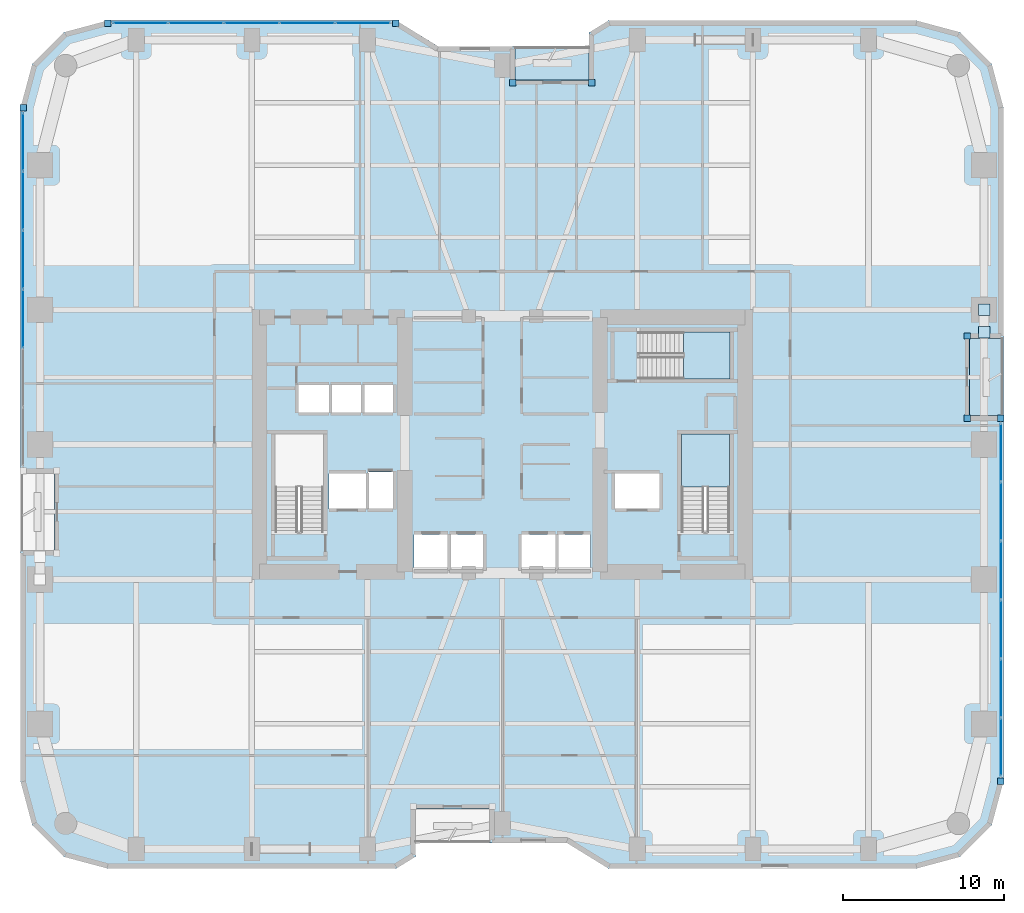
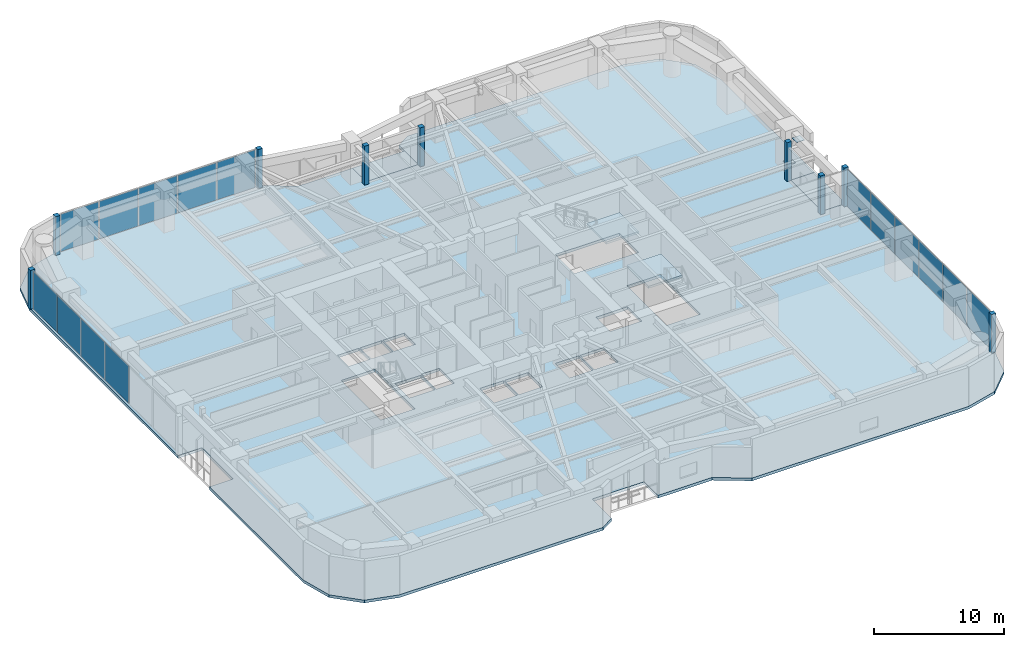
# One storey, part 20 of 28: 26 plates, 5 slabs, 5 elements without a shape of their own.
"""IFC4 building model written with IfcOpenShell, lengths in metres."""

from ifc_helpers import new_model, si_unit, direction, frame, origin, origin_2d, place, context, subcontext, project, spatial, polyline, rectangle, outline, extrude, material, layer, layer_set, type_object, element, aggregate, save


model = new_model("IFC4")

# Units and contexts
model_context = context("Model", 3, precision=1e-05, world=origin(), true_north=direction((0.0, 1.0)))
body_context = subcontext(model_context, "Body", "Model", "MODEL_VIEW")
ifc_project = project(units=[si_unit("LENGTHUNIT", "METRE"), si_unit("AREAUNIT", "SQUARE_METRE"), si_unit("VOLUMEUNIT", "CUBIC_METRE"), si_unit("PLANEANGLEUNIT", "RADIAN"), si_unit("MASSUNIT", "GRAM", prefix="KILO")], contexts=[model_context])

# Site, building, storey
site_placement = place(None, origin())
site = spatial("IfcSite", under=ifc_project, at=site_placement, CompositionType="ELEMENT")
building_placement = place(site_placement, origin())
building = spatial("IfcBuilding", under=site, at=building_placement, Name="Kiyonajd Concourse Tower", CompositionType="ELEMENT")
storey_placement = place(building_placement, frame((0.0, 0.0, 33.300048828125)))
storey = spatial("IfcBuildingStorey", under=building, at=storey_placement, Name="L09", CompositionType="ELEMENT", Elevation=33.300048828125)

# Plates
ifc_material_1 = material(Name="Steel ASTM A572 Grade 50", Category="steel")
ifc_layer_1 = layer(ifc_material_1, 0.028076171875)
ifc_layer_set_1 = layer_set([ifc_layer_1], Name="Steel ASTM A572 Grade 50")
plate_type_1 = type_object("IfcPlateType", Name="PL-CAP-450", PredefinedType="USERDEFINED", material=ifc_layer_set_1)
for number, where, z_axis, x_axis, name in (
    (1, (78.0, 44.40478515625, 0.27587890625), (0.0, 0.0, 1.0), (1.0, 0.0, 0.0), "L09 Hollow Brace End Cap Plate PBE"),
    (2, (78.0, 42.995361328125, 3.2861328125), (0.0, 0.0, 1.0), (1.0, 0.0, 0.0), "L09 Hollow Brace Top Cap Plate PBE"),
):
    element("IfcPlate", number, at=place(storey_placement, frame(where, z_axis=z_axis, x_axis=x_axis)), inside=storey, type_object=plate_type_1, Name=name, ObjectType="CAP PLATE", PredefinedType="USERDEFINED", context=body_context, shape_type="SweptSolid", body=[
        extrude(rectangle(XDim=0.7099609375, YDim=0.7099609375, at=origin_2d()), origin(), (0.0, 0.0, 1.0), 0.028076171875),
    ])

# Curtain wall, plates
ifc_material_2 = material(Name="Thermally Broken Anodised Aluminium", Category="aluminium")
ifc_layer_2 = layer(ifc_material_2, 0.179931640625)
ifc_layer_set_2 = layer_set([ifc_layer_2], Name="Thermally Broken Anodised Aluminium")
curtain_wall_type = type_object("IfcCurtainWallType", Name="CW-SYS-02", PredefinedType="NOTDEFINED", material=ifc_layer_set_2)
curtain_wall_1_placement = place(storey_placement, origin())
curtain_wall_1 = element("IfcCurtainWall", 3, at=curtain_wall_1_placement, inside=storey, type_object=curtain_wall_type, Name="L09 Unitised Curtain Wall CW2", PredefinedType="NOTDEFINED")
ifc_material_3 = material(Name="Double Low-E Insulated Glass", Category="glass")
ifc_layer_3 = layer(ifc_material_3, 0.028076171875)
ifc_layer_set_3 = layer_set([ifc_layer_3], Name="Double Low-E Insulated Glass")
plate_type_2 = type_object("IfcPlateType", Name="PL-CW-VIS28", PredefinedType="CURTAIN_PANEL", material=ifc_layer_set_3)
plate_1_placement = place(storey_placement, frame((18.159912109375, 43.832763671875, 0.06494140625), z_axis=(0.0, 0.0, 1.0), x_axis=(0.0, 1.0, 0.0)))
plate_1 = element("IfcPlate", 4, at=plate_1_placement, type_object=plate_type_2, Name="CW2 panel 3.1", PredefinedType="CURTAIN_PANEL", context=body_context, shape_type="SweptSolid", body=[
    extrude(rectangle(XDim=3.608154296875, YDim=0.028076171875, at=origin_2d()), origin(), (0.0, 0.0, 1.0), 3.510009765625),
])
plate_2_placement = place(storey_placement, frame((18.159912109375, 47.506103515625, 0.06494140625), z_axis=(0.0, 0.0, 1.0), x_axis=(0.0, 1.0, 0.0)))
plate_2 = element("IfcPlate", 5, at=plate_2_placement, type_object=plate_type_2, Name="CW2 panel 4.1", PredefinedType="CURTAIN_PANEL", context=body_context, shape_type="SweptSolid", body=[
    extrude(rectangle(XDim=3.608154296875, YDim=0.028076171875, at=origin_2d()), origin(), (0.0, 0.0, 1.0), 3.510009765625),
])
plate_3_placement = place(storey_placement, frame((18.159912109375, 51.17919921875, 0.06494140625), z_axis=(0.0, 0.0, 1.0), x_axis=(0.0, 1.0, 0.0)))
plate_3 = element("IfcPlate", 6, at=plate_3_placement, type_object=plate_type_2, Name="CW2 panel 5.1", PredefinedType="CURTAIN_PANEL", context=body_context, shape_type="SweptSolid", body=[
    extrude(rectangle(XDim=3.608154296875, YDim=0.028076171875, at=origin_2d()), origin(), (0.0, 0.0, 1.0), 3.510009765625),
])
plate_4_placement = place(storey_placement, frame((18.159912109375, 54.836181640625, 0.06494140625), z_axis=(0.0, 0.0, 1.0), x_axis=(0.0, 1.0, 0.0)))
plate_4 = element("IfcPlate", 7, at=plate_4_placement, type_object=plate_type_2, Name="CW2 panel 6.1", PredefinedType="CURTAIN_PANEL", context=body_context, shape_type="SweptSolid", body=[
    extrude(rectangle(XDim=3.57568359375, YDim=0.028076171875, at=origin_2d()), origin(), (0.0, 0.0, 1.0), 3.510009765625),
])
aggregate(curtain_wall_1, [plate_1, plate_2, plate_3, plate_4])

curtain_wall_2_placement = place(storey_placement, origin())
curtain_wall_2 = element("IfcCurtainWall", 8, at=curtain_wall_2_placement, inside=storey, type_object=curtain_wall_type, Name="L09 Unitised Curtain Wall CW2", PredefinedType="NOTDEFINED")
plate_5_placement = place(storey_placement, frame((25.462646484375, 62.239990234375, 0.06494140625), z_axis=(0.0, 0.0, 1.0), x_axis=(1.0, 0.0, 0.0)))
plate_5 = element("IfcPlate", 9, at=plate_5_placement, type_object=plate_type_2, Name="CW2 panel 1.1", PredefinedType="CURTAIN_PANEL", context=body_context, shape_type="SweptSolid", body=[
    extrude(rectangle(XDim=3.373291015625, YDim=0.028076171875, at=origin_2d()), origin(), (0.0, 0.0, 1.0), 3.510009765625),
])
plate_6_placement = place(storey_placement, frame((28.917236328125, 62.239990234375, 0.06494140625), z_axis=(0.0, 0.0, 1.0), x_axis=(1.0, 0.0, 0.0)))
plate_6 = element("IfcPlate", 10, at=plate_6_placement, type_object=plate_type_2, Name="CW2 panel 2.1", PredefinedType="CURTAIN_PANEL", context=body_context, shape_type="SweptSolid", body=[
    extrude(rectangle(XDim=3.40576171875, YDim=0.028076171875, at=origin_2d()), origin(), (0.0, 0.0, 1.0), 3.510009765625),
])
plate_7_placement = place(storey_placement, frame((32.387939453125, 62.239990234375, 0.06494140625), z_axis=(0.0, 0.0, 1.0), x_axis=(1.0, 0.0, 0.0)))
plate_7 = element("IfcPlate", 11, at=plate_7_placement, type_object=plate_type_2, Name="CW2 panel 3.1", PredefinedType="CURTAIN_PANEL", context=body_context, shape_type="SweptSolid", body=[
    extrude(rectangle(XDim=3.40576171875, YDim=0.028076171875, at=origin_2d()), origin(), (0.0, 0.0, 1.0), 3.510009765625),
])
plate_8_placement = place(storey_placement, frame((35.858642578125, 62.239990234375, 0.06494140625), z_axis=(0.0, 0.0, 1.0), x_axis=(1.0, 0.0, 0.0)))
plate_8 = element("IfcPlate", 12, at=plate_8_placement, type_object=plate_type_2, Name="CW2 panel 4.1", PredefinedType="CURTAIN_PANEL", context=body_context, shape_type="SweptSolid", body=[
    extrude(rectangle(XDim=3.40576171875, YDim=0.028076171875, at=origin_2d()), origin(), (0.0, 0.0, 1.0), 3.510009765625),
])
plate_9_placement = place(storey_placement, frame((39.31298828125, 62.239990234375, 0.06494140625), z_axis=(0.0, 0.0, 1.0), x_axis=(1.0, 0.0, 0.0)))
plate_9 = element("IfcPlate", 13, at=plate_9_placement, type_object=plate_type_2, Name="CW2 panel 5.1", PredefinedType="CURTAIN_PANEL", context=body_context, shape_type="SweptSolid", body=[
    extrude(rectangle(XDim=3.373291015625, YDim=0.028076171875, at=origin_2d()), origin(), (0.0, 0.0, 1.0), 3.510009765625),
])
aggregate(curtain_wall_2, [plate_5, plate_6, plate_7, plate_8, plate_9])

curtain_wall_3_placement = place(storey_placement, origin())
curtain_wall_3 = element("IfcCurtainWall", 14, at=curtain_wall_3_placement, inside=storey, type_object=curtain_wall_type, Name="L09 Unitised Curtain Wall CW2", PredefinedType="NOTDEFINED")
plate_10_placement = place(storey_placement, frame((79.0400390625, 35.4970703125, 0.06494140625), z_axis=(0.0, 0.0, 1.0), x_axis=(0.0, -1.0, 0.0)))
plate_10 = element("IfcPlate", 15, at=plate_10_placement, type_object=plate_type_2, Name="CW2 panel 1.1", PredefinedType="CURTAIN_PANEL", context=body_context, shape_type="SweptSolid", body=[
    extrude(rectangle(XDim=3.57568359375, YDim=0.028076171875, at=origin_2d()), origin(), (0.0, 0.0, 1.0), 3.510009765625),
])
plate_11_placement = place(storey_placement, frame((79.0400390625, 31.84033203125, 0.06494140625), z_axis=(0.0, 0.0, 1.0), x_axis=(0.0, -1.0, 0.0)))
plate_11 = element("IfcPlate", 16, at=plate_11_placement, type_object=plate_type_2, Name="CW2 panel 2.1", PredefinedType="CURTAIN_PANEL", context=body_context, shape_type="SweptSolid", body=[
    extrude(rectangle(XDim=3.608154296875, YDim=0.028076171875, at=origin_2d()), origin(), (0.0, 0.0, 1.0), 3.510009765625),
])
plate_12_placement = place(storey_placement, frame((79.0400390625, 28.167236328125, 0.06494140625), z_axis=(0.0, 0.0, 1.0), x_axis=(0.0, -1.0, 0.0)))
plate_12 = element("IfcPlate", 17, at=plate_12_placement, type_object=plate_type_2, Name="CW2 panel 3.1", PredefinedType="CURTAIN_PANEL", context=body_context, shape_type="SweptSolid", body=[
    extrude(rectangle(XDim=3.608154296875, YDim=0.028076171875, at=origin_2d()), origin(), (0.0, 0.0, 1.0), 3.510009765625),
])
plate_13_placement = place(storey_placement, frame((79.0400390625, 24.493896484375, 0.06494140625), z_axis=(0.0, 0.0, 1.0), x_axis=(0.0, -1.0, 0.0)))
plate_13 = element("IfcPlate", 18, at=plate_13_placement, type_object=plate_type_2, Name="CW2 panel 4.1", PredefinedType="CURTAIN_PANEL", context=body_context, shape_type="SweptSolid", body=[
    extrude(rectangle(XDim=3.608154296875, YDim=0.028076171875, at=origin_2d()), origin(), (0.0, 0.0, 1.0), 3.510009765625),
])
plate_14_placement = place(storey_placement, frame((79.0400390625, 20.82080078125, 0.06494140625), z_axis=(0.0, 0.0, 1.0), x_axis=(0.0, -1.0, 0.0)))
plate_14 = element("IfcPlate", 19, at=plate_14_placement, type_object=plate_type_2, Name="CW2 panel 5.1", PredefinedType="CURTAIN_PANEL", context=body_context, shape_type="SweptSolid", body=[
    extrude(rectangle(XDim=3.608154296875, YDim=0.028076171875, at=origin_2d()), origin(), (0.0, 0.0, 1.0), 3.510009765625),
])
plate_15_placement = place(storey_placement, frame((79.0400390625, 17.163818359375, 0.06494140625), z_axis=(0.0, 0.0, 1.0), x_axis=(0.0, -1.0, 0.0)))
plate_15 = element("IfcPlate", 20, at=plate_15_placement, type_object=plate_type_2, Name="CW2 panel 6.1", PredefinedType="CURTAIN_PANEL", context=body_context, shape_type="SweptSolid", body=[
    extrude(rectangle(XDim=3.57568359375, YDim=0.028076171875, at=origin_2d()), origin(), (0.0, 0.0, 1.0), 3.510009765625),
])
aggregate(curtain_wall_3, [plate_10, plate_11, plate_12, plate_13, plate_14, plate_15])

# Plates
ifc_layer_4 = layer(ifc_material_2, 0.39990234375)
ifc_layer_set_4 = layer_set([ifc_layer_4], Name="Thermally Broken Anodised Aluminium")
plate_type_3 = type_object("IfcPlateType", Name="PL-JMB-400", PredefinedType="USERDEFINED", material=ifc_layer_set_4)
for number, where, z_axis, x_axis, name in (
    (21, (18.159912109375, 56.97900390625, 0.0), (0.0, 0.0, 1.0), (1.0, 0.0, 0.0), "L09 Facade Jamb Closure Plate 04"),
    (22, (23.421142578125, 62.239990234375, 0.0), (0.0, 0.0, 1.0), (1.0, 0.0, 0.0), "L09 Facade Jamb Closure Plate 05"),
    (23, (41.354736328125, 62.239990234375, 0.0), (0.0, 0.0, 1.0), (1.0, 0.0, 0.0), "L09 Facade Jamb Closure Plate 06"),
    (24, (48.639892578125, 58.5400390625, 0.0), (0.0, 0.0, 1.0), (1.0, 0.0, 0.0), "L09 Facade Jamb Closure Plate 07"),
    (25, (53.56005859375, 58.5400390625, 0.0), (0.0, 0.0, 1.0), (1.0, 0.0, 0.0), "L09 Facade Jamb Closure Plate 08"),
    (26, (76.93994140625, 42.760009765625, 0.0), (0.0, 0.0, 1.0), (1.0, 0.0, 0.0), "L09 Facade Jamb Closure Plate 09"),
    (27, (76.93994140625, 37.639892578125, 0.0), (0.0, 0.0, 1.0), (1.0, 0.0, 0.0), "L09 Facade Jamb Closure Plate 10"),
    (28, (79.0400390625, 37.639892578125, 0.0), (0.0, 0.0, 1.0), (1.0, 0.0, 0.0), "L09 Facade Jamb Closure Plate 11"),
    (29, (79.0400390625, 15.02099609375, 0.0), (0.0, 0.0, 1.0), (1.0, 0.0, 0.0), "L09 Facade Jamb Closure Plate 12"),
):
    element("IfcPlate", number, at=place(storey_placement, frame(where, z_axis=z_axis, x_axis=x_axis)), inside=storey, type_object=plate_type_3, Name=name, ObjectType="JAMB PLATE", PredefinedType="USERDEFINED", context=body_context, shape_type="SweptSolid", body=[
        extrude(rectangle(XDim=0.39990234375, YDim=0.39990234375, at=origin_2d()), origin(), (0.0, 0.0, 1.0), 3.639892578125),
    ])

# Stair, slab
ifc_material_4 = material(Name="Concrete C40/50", Category="concrete")
stair_type = type_object("IfcStairType", Name="ST-DLG-22R", PredefinedType="HALF_TURN_STAIR", material=ifc_material_4)
stair_1_placement = place(storey_placement, origin())
stair_1 = element("IfcStair", 30, at=stair_1_placement, inside=storey, type_object=stair_type, Name="L09 Protected Exit Stair ST2", PredefinedType="HALF_TURN_STAIR")
ifc_layer_5 = layer(ifc_material_4, 0.199951171875)
ifc_layer_set_5 = layer_set([ifc_layer_5], Name="Concrete C40/50")
slab_type_1 = type_object("IfcSlabType", Name="SL-LND-200", PredefinedType="LANDING", material=ifc_layer_set_5)
slab_1_placement = place(storey_placement, frame((0.0, 0.0, 1.75)))
slab_1 = element("IfcSlab", 31, at=slab_1_placement, type_object=slab_type_1, Name="ST2 landing 1", PredefinedType="LANDING", context=body_context, shape_type="SweptSolid", body=[
    extrude(outline(polyline([(62.14990234375, 33.35009765625), (62.14990234375, 36.64990234375), (59.14990234375, 36.64990234375), (59.14990234375, 33.35009765625), (62.14990234375, 33.35009765625)])), origin(), (0.0, 0.0, 1.0), 0.199951171875),
])
aggregate(stair_1, [slab_1])

stair_2_placement = place(storey_placement, origin())
stair_2 = element("IfcStair", 32, at=stair_2_placement, inside=storey, type_object=stair_type, Name="L09 Protected Exit Stair ST3", PredefinedType="HALF_TURN_STAIR")
slab_2_placement = place(storey_placement, frame((0.0, 0.0, 1.75)))
slab_2 = element("IfcSlab", 33, at=slab_2_placement, type_object=slab_type_1, Name="ST3 landing 1", PredefinedType="LANDING", context=body_context, shape_type="SweptSolid", body=[
    extrude(outline(polyline([(59.280029296875, 40.080078125), (62.179931640625, 40.080078125), (62.179931640625, 43.02001953125), (59.280029296875, 43.02001953125), (59.280029296875, 40.080078125)])), origin(), (0.0, 0.0, 1.0), 0.199951171875),
])
aggregate(stair_2, [slab_2])

# Slabs
ifc_material_5 = material(Name="Precast concrete C50/60", Category="concrete")
ifc_layer_6 = layer(ifc_material_5, 0.199951171875)
ifc_layer_set_6 = layer_set([ifc_layer_6], Name="Precast concrete C50/60")
slab_type_2 = type_object("IfcSlabType", Name="SL-LOG-200", PredefinedType="FLOOR", material=ifc_layer_set_6)
slab_3_placement = place(storey_placement, frame((0.0, 0.0, -0.199951171875)))
element("IfcSlab", 34, at=slab_3_placement, inside=storey, type_object=slab_type_2, Name="L09 Recessed Engawa Loggia Terrace Slab LOG-N", PredefinedType="FLOOR", context=body_context, shape_type="SweptSolid", body=[
    extrude(outline(polyline([(48.800048828125, 58.699951171875), (53.39990234375, 58.699951171875), (53.39990234375, 60.800048828125), (48.800048828125, 60.800048828125), (48.800048828125, 58.699951171875)])), origin(), (0.0, 0.0, 1.0), 0.199951171875),
])
slab_4_placement = place(storey_placement, frame((0.0, 0.0, -0.199951171875)))
element("IfcSlab", 35, at=slab_4_placement, inside=storey, type_object=slab_type_2, Name="L09 Recessed Engawa Loggia Terrace Slab LOG-E", PredefinedType="FLOOR", context=body_context, shape_type="SweptSolid", body=[
    extrude(outline(polyline([(77.10009765625, 37.800048828125), (79.199951171875, 37.800048828125), (79.199951171875, 42.60009765625), (77.10009765625, 42.60009765625), (77.10009765625, 37.800048828125)])), origin(), (0.0, 0.0, 1.0), 0.199951171875),
])
ifc_layer_7 = layer(ifc_material_4, 0.260009765625)
ifc_layer_set_7 = layer_set([ifc_layer_7], Name="Concrete C40/50")
slab_type_3 = type_object("IfcSlabType", Name="SL-TWR-260", PredefinedType="FLOOR", material=ifc_layer_set_7)
slab_5_placement = place(storey_placement, frame((0.0, 0.0, -0.260009765625)))
element("IfcSlab", 36, at=slab_5_placement, inside=storey, type_object=slab_type_3, Name="L09 Tower Conditioned Floor Slab", PredefinedType="FLOOR", context=body_context, shape_type="SweptSolid", body=[
    extrude(outline(polyline([(18.722900390625, 12.300048828125), (18.0, 15.0), (18.0, 29.39990234375), (20.10009765625, 29.39990234375), (20.10009765625, 34.199951171875), (18.0, 34.199951171875), (18.0, 57.0), (18.722900390625, 59.699951171875), (20.699951171875, 61.677001953125), (23.39990234375, 62.39990234375), (41.39990234375, 62.39990234375), (44.0, 60.800048828125), (48.800048828125, 60.800048828125), (48.800048828125, 58.699951171875), (53.39990234375, 58.699951171875), (53.39990234375, 61.662109375), (54.60009765625, 62.39990234375), (73.800048828125, 62.39990234375), (76.5, 61.677001953125), (78.47705078125, 59.699951171875), (79.199951171875, 57.0), (79.199951171875, 42.60009765625), (77.10009765625, 42.60009765625), (77.10009765625, 37.800048828125), (79.199951171875, 37.800048828125), (79.199951171875, 15.0), (78.47705078125, 12.300048828125), (76.5, 10.322998046875), (73.800048828125, 9.60009765625), (54.60009765625, 9.60009765625), (52.0, 11.199951171875), (47.199951171875, 11.199951171875), (47.199951171875, 13.300048828125), (42.60009765625, 13.300048828125), (42.60009765625, 10.337890625), (41.39990234375, 9.60009765625), (23.39990234375, 9.60009765625), (20.699951171875, 10.322998046875), (18.722900390625, 12.300048828125)]), holes=[polyline([(44.60009765625, 28.199951171875), (42.5, 28.199951171875), (42.5, 30.39990234375), (44.60009765625, 30.39990234375), (44.60009765625, 28.199951171875)]), polyline([(37.199951171875, 32.0), (37.199951171875, 34.199951171875), (39.5, 34.199951171875), (39.5, 32.0), (37.199951171875, 32.0)]), polyline([(39.60009765625, 32.0), (39.60009765625, 34.300048828125), (41.199951171875, 34.300048828125), (41.199951171875, 32.0), (39.60009765625, 32.0)]), polyline([(36.85009765625, 30.550048828125), (33.85009765625, 30.550048828125), (33.85009765625, 36.64990234375), (36.85009765625, 36.64990234375), (36.85009765625, 30.550048828125)]), polyline([(35.300048828125, 38.0), (35.300048828125, 39.699951171875), (37.199951171875, 39.699951171875), (37.199951171875, 38.0), (35.300048828125, 38.0)]), polyline([(37.300048828125, 38.0), (37.300048828125, 39.699951171875), (39.199951171875, 39.699951171875), (39.199951171875, 38.0), (37.300048828125, 38.0)]), polyline([(41.199951171875, 38.0), (39.300048828125, 38.0), (39.300048828125, 39.699951171875), (41.199951171875, 39.699951171875), (41.199951171875, 38.0)]), polyline([(44.699951171875, 28.199951171875), (44.699951171875, 30.39990234375), (46.800048828125, 30.39990234375), (46.800048828125, 28.199951171875), (44.699951171875, 28.199951171875)]), polyline([(49.199951171875, 28.199951171875), (49.199951171875, 30.39990234375), (51.300048828125, 30.39990234375), (51.300048828125, 28.199951171875), (49.199951171875, 28.199951171875)]), polyline([(51.39990234375, 28.199951171875), (51.39990234375, 30.39990234375), (53.5, 30.39990234375), (53.5, 28.199951171875), (51.39990234375, 28.199951171875)]), polyline([(55.0, 32.0), (55.0, 34.199951171875), (57.800048828125, 34.199951171875), (57.800048828125, 32.0), (55.0, 32.0)]), polyline([(59.14990234375, 30.550048828125), (59.14990234375, 36.64990234375), (62.14990234375, 36.64990234375), (62.14990234375, 30.550048828125), (59.14990234375, 30.550048828125)]), polyline([(56.47998046875, 43.02001953125), (62.179931640625, 43.02001953125), (62.179931640625, 40.080078125), (56.47998046875, 40.080078125), (56.47998046875, 43.02001953125)])]), origin(), (0.0, 0.0, 1.0), 0.260009765625),
])

save(model, "model.ifc")
